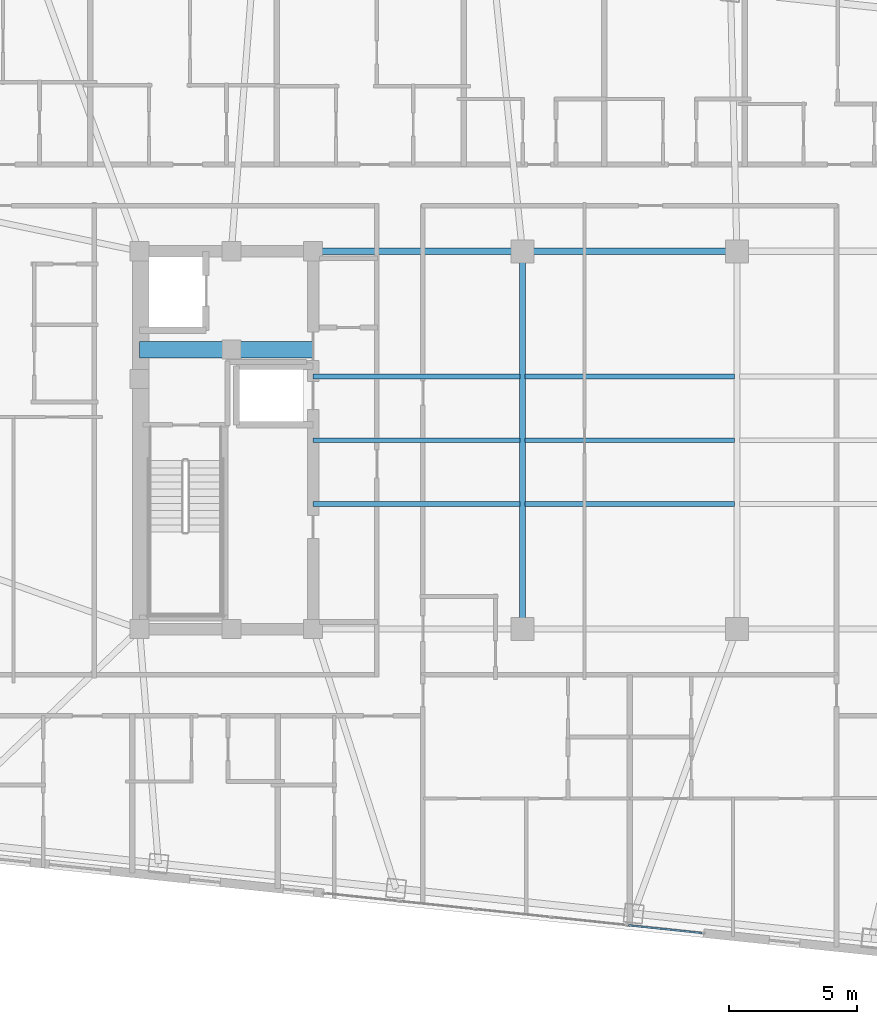
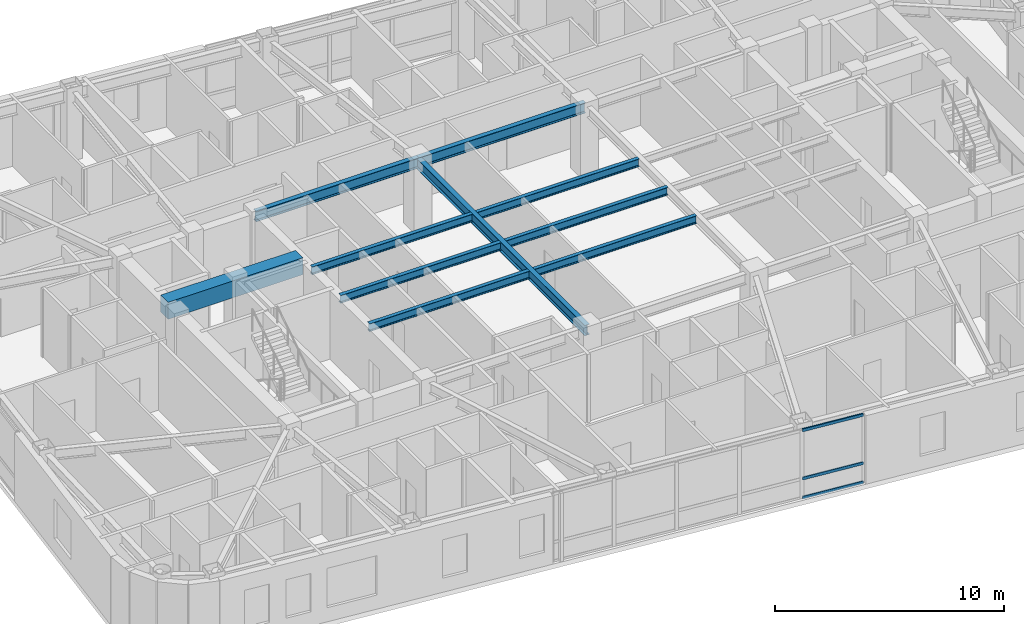
# One storey, part 5 of 23: 10 beams, 3 members, 1 element without a shape of its own.
"""IFC4 building model written with IfcOpenShell, lengths in metres."""

from ifc_helpers import new_model, si_unit, direction, frame, origin, origin_2d, place, context, subcontext, project, spatial, rectangle, hollow_rectangle, i_section, extrude, material, layer, layer_set, material_profile, profile_set, type_object, element, aggregate, save


model = new_model("IFC4")

# Units and contexts
model_context = context("Model", 3, precision=1e-05, world=origin(), true_north=direction((0.0, 1.0)))
body_context = subcontext(model_context, "Body", "Model", "MODEL_VIEW")
ifc_project = project(units=[si_unit("LENGTHUNIT", "METRE"), si_unit("AREAUNIT", "SQUARE_METRE"), si_unit("VOLUMEUNIT", "CUBIC_METRE"), si_unit("PLANEANGLEUNIT", "RADIAN"), si_unit("MASSUNIT", "GRAM", prefix="KILO")], contexts=[model_context])

# Site, building, storey
site_placement = place(None, origin())
site = spatial("IfcSite", under=ifc_project, at=site_placement, CompositionType="ELEMENT")
building_placement = place(site_placement, origin())
building = spatial("IfcBuilding", under=site, at=building_placement, Name="Voryun Gate Residences", CompositionType="ELEMENT")
storey_placement = place(building_placement, frame((0.0, 0.0, 275.60009765625)))
storey = spatial("IfcBuildingStorey", under=building, at=storey_placement, Name="L68", CompositionType="ELEMENT", Elevation=275.60009765625)

# Beams
ifc_material_1 = material(Name="Concrete C60/75", Category="concrete")
ifc_material_profile_1 = material_profile(ifc_material_1, rectangle(XDim=0.64990234375, YDim=0.89990234375, at=origin_2d()), Name="RC-650x900")
ifc_profile_set_1 = profile_set([ifc_material_profile_1], Name="Concrete C60/75")
beam_type_1 = type_object("IfcBeamType", Name="BM_COUP_RC900", PredefinedType="LINTEL", material=ifc_profile_set_1)
beam_1_placement = place(storey_placement, frame((-19.199951171875, 3.550048828125, 3.199951171875), z_axis=(1.0, 0.0, 0.0), x_axis=(0.0, 1.0, 0.0)))
element("IfcBeam", 1, at=beam_1_placement, inside=storey, type_object=beam_type_1, Name="BM-L68-WC1", PredefinedType="LINTEL", context=body_context, shape_type="SweptSolid", body=[
    extrude(rectangle(XDim=0.64990234375, YDim=0.89990234375, at=origin_2d()), origin(), (0.0, 0.0, 1.0), 6.800048828125),
])
ifc_material_2 = material(Name="Steel SM355", Category="steel")
ifc_material_profile_2 = material_profile(ifc_material_2, i_section(OverallWidth=0.239990234375, OverallDepth=0.550048828125, WebThickness=0.011962890625, FlangeThickness=0.02001953125, FilletRadius=0.01806640625, at=origin_2d()), Name="H-550x240x12x20")
ifc_profile_set_2 = profile_set([ifc_material_profile_2], Name="Steel SM355")
beam_type_2 = type_object("IfcBeamType", Name="BM_GIRD_550", PredefinedType="USERDEFINED", material=ifc_profile_set_2)
beam_2_placement = place(storey_placement, frame((-12.39990234375, 7.39990234375, 3.375), z_axis=(1.0, 0.0, 0.0), x_axis=(0.0, 1.0, 0.0)))
element("IfcBeam", 2, at=beam_2_placement, inside=storey, type_object=beam_type_2, Name="BM-L68-SPG1-N", ObjectType="GIRDER", PredefinedType="USERDEFINED", context=body_context, shape_type="SweptSolid", body=[
    extrude(i_section(OverallWidth=0.239990234375, OverallDepth=0.550048828125, WebThickness=0.011962890625, FlangeThickness=0.02001953125, FilletRadius=0.01806640625, at=origin_2d()), origin(), (0.0, 0.0, 1.0), 8.199951171875),
])
beam_3_placement = place(storey_placement, frame((-4.199951171875, 7.39990234375, 3.375), z_axis=(1.0, 0.0, 0.0), x_axis=(0.0, 1.0, 0.0)))
element("IfcBeam", 3, at=beam_3_placement, inside=storey, type_object=beam_type_2, Name="BM-L68-SPG2-N", ObjectType="GIRDER", PredefinedType="USERDEFINED", context=body_context, shape_type="SweptSolid", body=[
    extrude(i_section(OverallWidth=0.239990234375, OverallDepth=0.550048828125, WebThickness=0.011962890625, FlangeThickness=0.02001953125, FilletRadius=0.01806640625, at=origin_2d()), origin(), (0.0, 0.0, 1.0), 8.39990234375),
])
beam_4_placement = place(storey_placement, frame((-4.199951171875, -7.39990234375, 3.375), z_axis=(0.0, 1.0, 0.0), x_axis=(-1.0, 0.0, 0.0)))
element("IfcBeam", 4, at=beam_4_placement, inside=storey, type_object=beam_type_2, Name="BM-L68-SPX-W", ObjectType="GIRDER", PredefinedType="USERDEFINED", context=body_context, shape_type="SweptSolid", body=[
    extrude(i_section(OverallWidth=0.239990234375, OverallDepth=0.550048828125, WebThickness=0.011962890625, FlangeThickness=0.02001953125, FilletRadius=0.01806640625, at=origin_2d()), origin(), (0.0, 0.0, 1.0), 14.7998046875),
])
ifc_material_3 = material(Name="Steel SM355", Category="steel")
ifc_material_profile_3 = material_profile(ifc_material_3, i_section(OverallWidth=0.18994140625, OverallDepth=0.419921875, WebThickness=0.009033203125, FlangeThickness=0.01611328125, FilletRadius=0.01806640625, at=origin_2d()), Name="H-420x190x9x16")
ifc_profile_set_3 = profile_set([ifc_material_profile_3], Name="Steel SM355")
beam_type_3 = type_object("IfcBeamType", Name="BM_SEC_420", PredefinedType="BEAM", material=ifc_profile_set_3)
beam_5_placement = place(storey_placement, frame((-12.39990234375, -2.5, 3.43994140625), z_axis=(1.0, 0.0, 0.0), x_axis=(0.0, 1.0, 0.0)))
element("IfcBeam", 5, at=beam_5_placement, inside=storey, type_object=beam_type_3, Name="BM-L68-SEC-CS1", PredefinedType="BEAM", context=body_context, shape_type="SweptSolid", body=[
    extrude(i_section(OverallWidth=0.18994140625, OverallDepth=0.419921875, WebThickness=0.009033203125, FlangeThickness=0.01611328125, FilletRadius=0.01806640625, at=origin_2d()), origin(), (0.0, 0.0, 1.0), 8.099853515625),
])
beam_6_placement = place(storey_placement, frame((-4.10009765625, -2.5, 3.43994140625), z_axis=(1.0, 0.0, 0.0), x_axis=(0.0, 1.0, 0.0)))
element("IfcBeam", 6, at=beam_6_placement, inside=storey, type_object=beam_type_3, Name="BM-L68-SEC-CS2", PredefinedType="BEAM", context=body_context, shape_type="SweptSolid", body=[
    extrude(i_section(OverallWidth=0.18994140625, OverallDepth=0.419921875, WebThickness=0.009033203125, FlangeThickness=0.01611328125, FilletRadius=0.01806640625, at=origin_2d()), origin(), (0.0, 0.0, 1.0), 8.2001953125),
])
beam_7_placement = place(storey_placement, frame((-12.39990234375, 0.0, 3.43994140625), z_axis=(1.0, 0.0, 0.0), x_axis=(0.0, 1.0, 0.0)))
element("IfcBeam", 7, at=beam_7_placement, inside=storey, type_object=beam_type_3, Name="BM-L68-SEC-CM1", PredefinedType="BEAM", context=body_context, shape_type="SweptSolid", body=[
    extrude(i_section(OverallWidth=0.18994140625, OverallDepth=0.419921875, WebThickness=0.009033203125, FlangeThickness=0.01611328125, FilletRadius=0.01806640625, at=origin_2d()), origin(), (0.0, 0.0, 1.0), 8.099853515625),
])
beam_8_placement = place(storey_placement, frame((-4.10009765625, 0.0, 3.43994140625), z_axis=(1.0, 0.0, 0.0), x_axis=(0.0, 1.0, 0.0)))
element("IfcBeam", 8, at=beam_8_placement, inside=storey, type_object=beam_type_3, Name="BM-L68-SEC-CM2", PredefinedType="BEAM", context=body_context, shape_type="SweptSolid", body=[
    extrude(i_section(OverallWidth=0.18994140625, OverallDepth=0.419921875, WebThickness=0.009033203125, FlangeThickness=0.01611328125, FilletRadius=0.01806640625, at=origin_2d()), origin(), (0.0, 0.0, 1.0), 8.2001953125),
])
beam_9_placement = place(storey_placement, frame((-12.39990234375, 2.5, 3.43994140625), z_axis=(1.0, 0.0, 0.0), x_axis=(0.0, 1.0, 0.0)))
element("IfcBeam", 9, at=beam_9_placement, inside=storey, type_object=beam_type_3, Name="BM-L68-SEC-CN1", PredefinedType="BEAM", context=body_context, shape_type="SweptSolid", body=[
    extrude(i_section(OverallWidth=0.18994140625, OverallDepth=0.419921875, WebThickness=0.009033203125, FlangeThickness=0.01611328125, FilletRadius=0.01806640625, at=origin_2d()), origin(), (0.0, 0.0, 1.0), 8.099853515625),
])
beam_10_placement = place(storey_placement, frame((-4.10009765625, 2.5, 3.43994140625), z_axis=(1.0, 0.0, 0.0), x_axis=(0.0, 1.0, 0.0)))
element("IfcBeam", 10, at=beam_10_placement, inside=storey, type_object=beam_type_3, Name="BM-L68-SEC-CN2", PredefinedType="BEAM", context=body_context, shape_type="SweptSolid", body=[
    extrude(i_section(OverallWidth=0.18994140625, OverallDepth=0.419921875, WebThickness=0.009033203125, FlangeThickness=0.01611328125, FilletRadius=0.01806640625, at=origin_2d()), origin(), (0.0, 0.0, 1.0), 8.2001953125),
])

# Curtain wall, members
ifc_material_4 = material(Name="Anodised aluminium", Category="aluminium")
ifc_layer = layer(ifc_material_4, 0.18994140625, Name="CW_SYS_RES_B_DARK_GLASS")
ifc_layer_set = layer_set([ifc_layer], Name="Anodised aluminium")
curtain_wall_type = type_object("IfcCurtainWallType", Name="CW_SYS_RES_B_DARK_GLASS", PredefinedType="NOTDEFINED", material=ifc_layer_set)
curtain_wall_placement = place(storey_placement, origin())
curtain_wall = element("IfcCurtainWall", 11, at=curtain_wall_placement, inside=storey, type_object=curtain_wall_type, Name="Curtain wall CWT-L68-01", PredefinedType="NOTDEFINED")
ifc_material_5 = material(Name="Anodised aluminium", Category="aluminium")
ifc_material_profile_4 = material_profile(ifc_material_5, hollow_rectangle(XDim=0.070068359375, YDim=0.14990234375, WallThickness=0.00390625, at=origin_2d()), Name="ALU-TRAN-150x70x4")
ifc_profile_set_4 = profile_set([ifc_material_profile_4], Name="Anodised aluminium")
member_type = type_object("IfcMemberType", Name="CW_TRAN_RES", PredefinedType="USERDEFINED", material=ifc_profile_set_4)
member_1_placement = place(storey_placement, frame((2.834716796875, -19.3037109375, 0.02978515625), z_axis=(-0.994530308302, 0.104448388543, 0.0), x_axis=(-0.104448388543, -0.994530308302, 0.0)))
member_1 = element("IfcMember", 12, at=member_1_placement, type_object=member_type, Name="CW4 transom 1.1", ObjectType="TRANSOM", PredefinedType="USERDEFINED", context=body_context, shape_type="SweptSolid", body=[
    extrude(hollow_rectangle(XDim=0.070068359375, YDim=0.14990234375, WallThickness=0.00390625, at=origin_2d()), origin(), (0.0, 0.0, 1.0), 2.903076171875),
])
member_2_placement = place(storey_placement, frame((2.834716796875, -19.3037109375, 1.0498046875), z_axis=(-0.994530308302, 0.104448388543, 0.0), x_axis=(-0.104448388543, -0.994530308302, 0.0)))
member_2 = element("IfcMember", 13, at=member_2_placement, type_object=member_type, Name="CW4 transom 1.2", ObjectType="TRANSOM", PredefinedType="USERDEFINED", context=body_context, shape_type="SweptSolid", body=[
    extrude(hollow_rectangle(XDim=0.070068359375, YDim=0.14990234375, WallThickness=0.00390625, at=origin_2d()), origin(), (0.0, 0.0, 1.0), 2.903076171875),
])
member_3_placement = place(storey_placement, frame((2.834716796875, -19.3037109375, 3.619873046875), z_axis=(-0.994530308302, 0.104448388543, 0.0), x_axis=(-0.104448388543, -0.994530308302, 0.0)))
member_3 = element("IfcMember", 14, at=member_3_placement, type_object=member_type, Name="CW4 transom 1.3", ObjectType="TRANSOM", PredefinedType="USERDEFINED", context=body_context, shape_type="SweptSolid", body=[
    extrude(hollow_rectangle(XDim=0.070068359375, YDim=0.14990234375, WallThickness=0.00390625, at=origin_2d()), origin(), (0.0, 0.0, 1.0), 2.903076171875),
])
aggregate(curtain_wall, [member_1, member_2, member_3])

save(model, "model.ifc")
